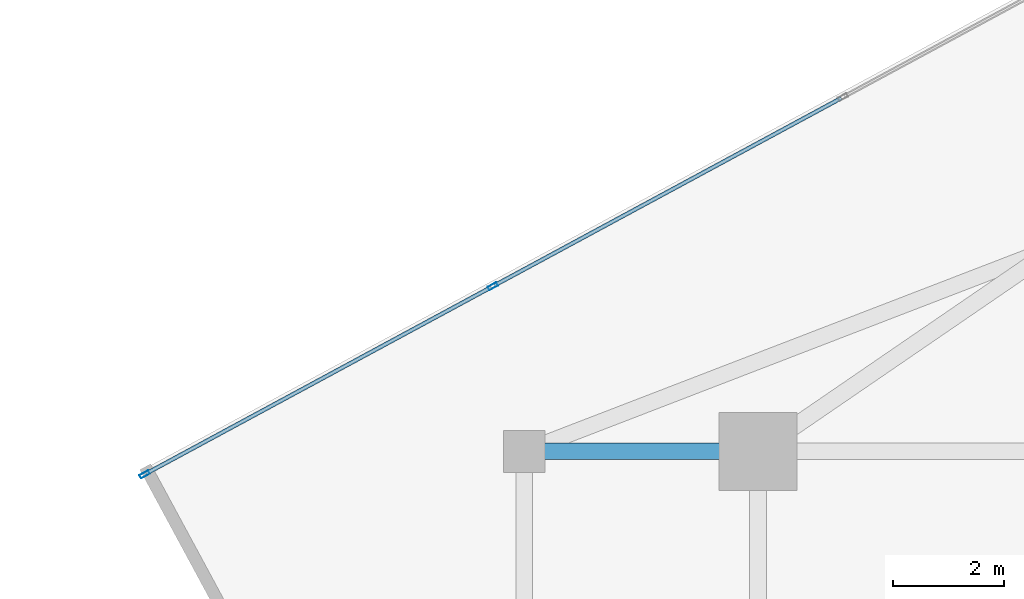
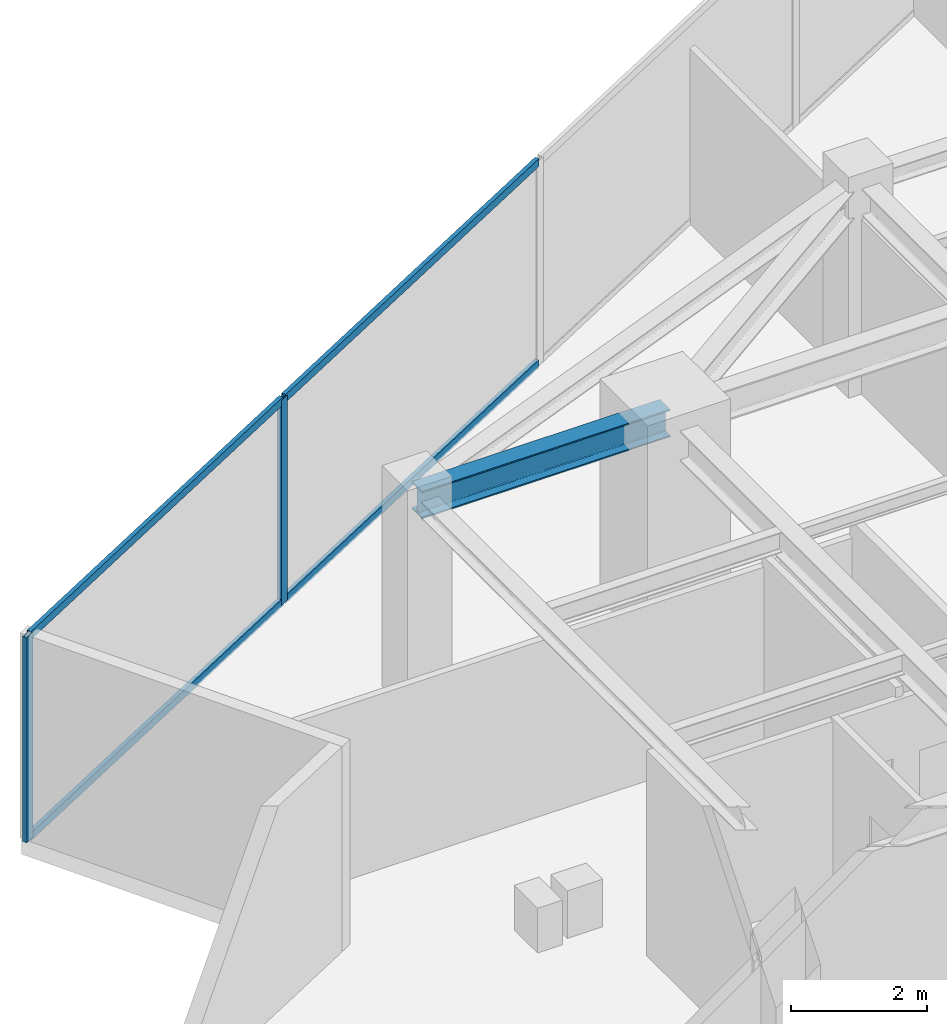
# One storey, part 13 of 22: 6 members, 1 beam, 1 element without a shape of its own.
"""IFC4 building model written with IfcOpenShell, lengths in metres."""

from ifc_helpers import new_model, si_unit, direction, frame, origin, origin_2d, place, context, subcontext, project, spatial, hollow_rectangle, i_section, extrude, source, transform, mapped, material, material_profile, profile_set, type_object, type_shapes, element, aggregate, save


model = new_model("IFC4")

# Units and contexts
model_context = context("Model", 3, precision=1e-05, world=origin(), true_north=direction((0.0, 1.0)))
body_context = subcontext(model_context, "Body", "Model", "MODEL_VIEW")
ifc_project = project(units=[si_unit("LENGTHUNIT", "METRE"), si_unit("AREAUNIT", "SQUARE_METRE"), si_unit("VOLUMEUNIT", "CUBIC_METRE"), si_unit("PLANEANGLEUNIT", "RADIAN"), si_unit("MASSUNIT", "GRAM", prefix="KILO")], contexts=[model_context])

# Site, building, storey
site_placement = place(None, origin())
site = spatial("IfcSite", under=ifc_project, at=site_placement, CompositionType="ELEMENT")
building_placement = place(site_placement, origin())
building = spatial("IfcBuilding", under=site, at=building_placement, Name="Krantzveldt Concourse Tower", CompositionType="ELEMENT")
storey_placement = place(building_placement, frame((0.0, 0.0, 302.949951171875)))
storey = spatial("IfcBuildingStorey", under=building, at=storey_placement, Name="L74", CompositionType="ELEMENT", Elevation=302.949951171875)

# Beam
ifc_material_1 = material(Name="Steel S355JR", Category="steel")
ifc_material_profile_1 = material_profile(ifc_material_1, i_section(OverallWidth=0.300048828125, OverallDepth=0.489990234375, WebThickness=0.011962890625, FlangeThickness=0.02294921875, FilletRadius=0.027099609375, at=origin_2d()), Name="Steel S355JR", Category="steel")
ifc_profile_set_1 = profile_set([ifc_material_profile_1], Name="Steel S355JR - HEA 500")
beam_type = type_object("IfcBeamType", Name="BM-B-HEA500", PredefinedType="BEAM", material=ifc_profile_set_1)
shared_shape_1 = source(origin(), body_context, "Body", "SweptSolid", [
    extrude(i_section(OverallWidth=0.300048828125, OverallDepth=0.489990234375, WebThickness=0.011962890625, FlangeThickness=0.02294921875, FilletRadius=0.027099609375, at=origin_2d()), origin(), (0.0, 0.0, 1.0), 4.199951171875),
])
type_shapes(beam_type, [shared_shape_1])
beam_placement = place(storey_placement, frame((21.0, 37.5, 3.425048828125), z_axis=(1.0, 0.0, 0.0), x_axis=(0.0, 1.0, 0.0)))
element("IfcBeam", 1, at=beam_placement, inside=storey, type_object=beam_type, Name="L74 Tower Girder BR-RL3", PredefinedType="BEAM", context=body_context, shape_type="MappedRepresentation", body=[
    mapped(shared_shape_1, transform((0.0, 0.0, 0.0), x_axis=(1.0, 0.0, 0.0), y_axis=(0.0, 1.0, 0.0), z_axis=(0.0, 0.0, 1.0), scale=1.0)),
])

# Curtain wall, members
ifc_material_2 = material(Name="Anodised aluminium 6063-T6", Category="aluminium")
curtain_wall_type = type_object("IfcCurtainWallType", Name="CW4", PredefinedType="USERDEFINED", material=ifc_material_2)
curtain_wall_placement = place(storey_placement, origin())
curtain_wall = element("IfcCurtainWall", 2, at=curtain_wall_placement, inside=storey, type_object=curtain_wall_type, Name="CW-L74-F01", ObjectType="UNITISED CURTAIN WALL", PredefinedType="USERDEFINED")
ifc_material_profile_2 = material_profile(ifc_material_2, hollow_rectangle(XDim=0.070068359375, YDim=0.179931640625, WallThickness=0.0048828125, at=origin_2d()), Name="Anodised aluminium 6063-T6", Category="aluminium")
ifc_profile_set_2 = profile_set([ifc_material_profile_2], Name="Anodised aluminium 6063-T6 - ALU-MULL 180x70x5")
member_type_1 = type_object("IfcMemberType", Name="CW-MUL-180", PredefinedType="MULLION", material=ifc_profile_set_2)
shared_shape_2 = source(origin(), body_context, "Body", "SweptSolid", [
    extrude(hollow_rectangle(XDim=0.070068359375, YDim=0.179931640625, WallThickness=0.0048828125, at=origin_2d()), origin(), (0.0, 0.0, 1.0), 3.670166015625),
])
type_shapes(member_type_1, [shared_shape_2])
member_1_placement = place(storey_placement, frame((20.43701171875, 40.468017578125, 0.0), z_axis=(0.0, 0.0, 1.0), x_axis=(0.475240271736, -0.87985605875, 0.0)))
member_1 = element("IfcMember", 3, at=member_1_placement, type_object=member_type_1, Name="CW-Z56 mullion 4", PredefinedType="MULLION", context=body_context, shape_type="MappedRepresentation", body=[
    mapped(shared_shape_2, transform((0.0, 0.0, 0.0), x_axis=(1.0, 0.0, 0.0), y_axis=(0.0, 1.0, 0.0), z_axis=(0.0, 0.0, 1.0), scale=1.0)),
])
member_2_placement = place(storey_placement, frame((14.177001953125, 37.086669921875, 0.0), z_axis=(0.0, 0.0, 1.0), x_axis=(0.475240271736, -0.87985605875, 0.0)))
member_2 = element("IfcMember", 4, at=member_2_placement, type_object=member_type_1, Name="CW-Z56 mullion 5", PredefinedType="MULLION", context=body_context, shape_type="MappedRepresentation", body=[
    mapped(shared_shape_2, transform((0.0, 0.0, 0.0), x_axis=(1.0, 0.0, 0.0), y_axis=(0.0, 1.0, 0.0), z_axis=(0.0, 0.0, 1.0), scale=1.0)),
])
ifc_material_profile_3 = material_profile(ifc_material_2, hollow_rectangle(XDim=0.070068359375, YDim=0.139892578125, WallThickness=0.0048828125, at=origin_2d()), Name="Anodised aluminium 6063-T6", Category="aluminium")
ifc_profile_set_3 = profile_set([ifc_material_profile_3], Name="Anodised aluminium 6063-T6 - ALU-TRAN 140x70x5")
member_type_2 = type_object("IfcMemberType", Name="CW-TRN-150", PredefinedType="USERDEFINED", material=ifc_profile_set_3)
shared_shape_3 = source(origin(), body_context, "Body", "SweptSolid", [
    extrude(hollow_rectangle(XDim=0.070068359375, YDim=0.139892578125, WallThickness=0.0048828125, at=origin_2d()), origin(), (0.0, 0.0, 1.0), 7.044921875),
])
member_3_placement = place(storey_placement, frame((20.40625, 40.451416015625, 0.03515625), z_axis=(-0.879848306025, -0.475254624791, 0.0), x_axis=(0.475254624791, -0.879848306025, 0.0)))
member_3 = element("IfcMember", 5, at=member_3_placement, type_object=member_type_2, Name="CW-Z56 transom 4.1", ObjectType="TRANSOM", PredefinedType="USERDEFINED", context=body_context, shape_type="MappedRepresentation", body=[
    mapped(shared_shape_3, transform((0.0, 0.0, 0.0), x_axis=(1.0, 0.0, 0.0), y_axis=(0.0, 1.0, 0.0), z_axis=(0.0, 0.0, 1.0), scale=1.0)),
])
member_4_placement = place(storey_placement, frame((20.40625, 40.451416015625, 3.635009765625), z_axis=(-0.879848306025, -0.475254624791, 0.0), x_axis=(0.475254624791, -0.879848306025, 0.0)))
member_4 = element("IfcMember", 6, at=member_4_placement, type_object=member_type_2, Name="CW-Z56 transom 4.2", ObjectType="TRANSOM", PredefinedType="USERDEFINED", context=body_context, shape_type="MappedRepresentation", body=[
    mapped(shared_shape_3, transform((0.0, 0.0, 0.0), x_axis=(1.0, 0.0, 0.0), y_axis=(0.0, 1.0, 0.0), z_axis=(0.0, 0.0, 1.0), scale=1.0)),
])
shared_shape_4 = source(origin(), body_context, "Body", "SweptSolid", [
    extrude(hollow_rectangle(XDim=0.070068359375, YDim=0.139892578125, WallThickness=0.0048828125, at=origin_2d()), origin(), (0.0, 0.0, 1.0), 7.080078125),
])
type_shapes(member_type_2, [shared_shape_3, shared_shape_4])
member_5_placement = place(storey_placement, frame((26.697265625, 43.849365234375, 0.03515625), z_axis=(-0.879856953046, -0.47523861604, 0.0), x_axis=(0.47523861604, -0.879856953046, 0.0)))
member_5 = element("IfcMember", 7, at=member_5_placement, type_object=member_type_2, Name="CW-Z56 transom 3.1", ObjectType="TRANSOM", PredefinedType="USERDEFINED", context=body_context, shape_type="MappedRepresentation", body=[
    mapped(shared_shape_4, transform((0.0, 0.0, 0.0), x_axis=(1.0, 0.0, 0.0), y_axis=(0.0, 1.0, 0.0), z_axis=(0.0, 0.0, 1.0), scale=1.0)),
])
member_6_placement = place(storey_placement, frame((26.697265625, 43.849365234375, 3.635009765625), z_axis=(-0.879856953046, -0.47523861604, 0.0), x_axis=(0.47523861604, -0.879856953046, 0.0)))
member_6 = element("IfcMember", 8, at=member_6_placement, type_object=member_type_2, Name="CW-Z56 transom 3.2", ObjectType="TRANSOM", PredefinedType="USERDEFINED", context=body_context, shape_type="MappedRepresentation", body=[
    mapped(shared_shape_4, transform((0.0, 0.0, 0.0), x_axis=(1.0, 0.0, 0.0), y_axis=(0.0, 1.0, 0.0), z_axis=(0.0, 0.0, 1.0), scale=1.0)),
])
aggregate(curtain_wall, [member_1, member_2, member_5, member_6, member_3, member_4])

save(model, "model.ifc")
